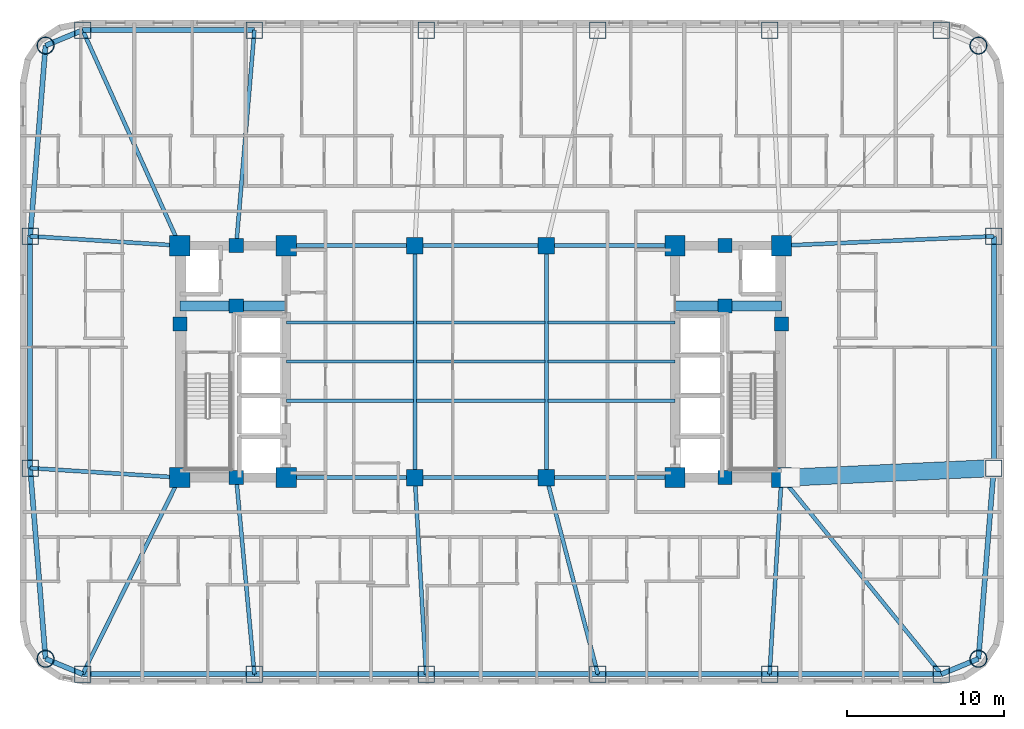
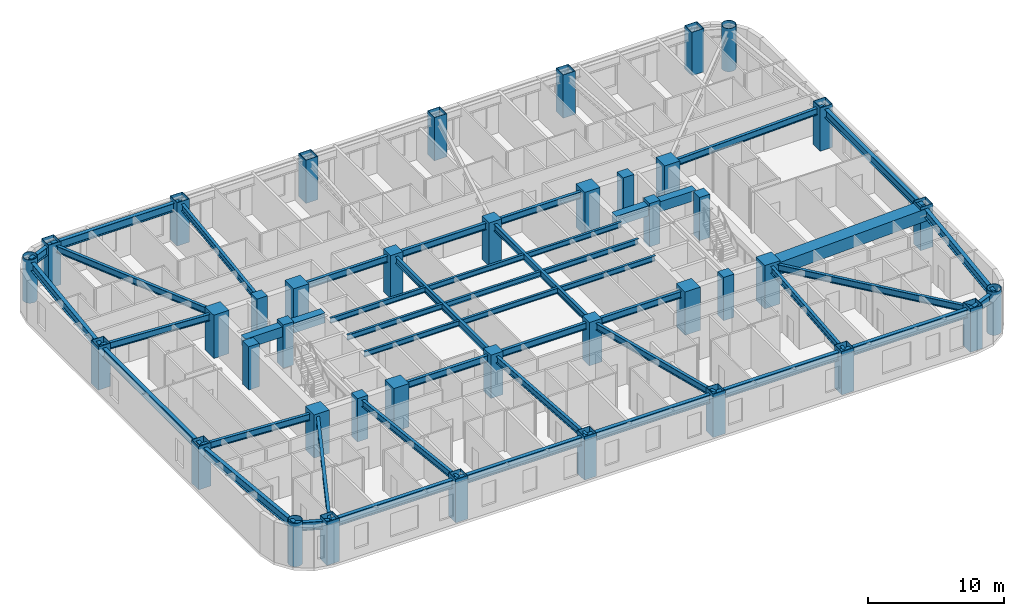
# One storey, part 1 of 13: 45 beams, 40 columns.
"""IFC4 building model written with IfcOpenShell, lengths in metres."""

from ifc_helpers import new_model, si_unit, direction, frame, origin, origin_2d, place, context, subcontext, project, spatial, rectangle, hollow_rectangle, hollow_circle, i_section, extrude, material, material_profile, profile_set, type_object, element, save


model = new_model("IFC4")

# Units and contexts
model_context = context("Model", 3, precision=1e-05, world=origin(), true_north=direction((0.0, 1.0)))
body_context = subcontext(model_context, "Body", "Model", "MODEL_VIEW")
ifc_project = project(units=[si_unit("LENGTHUNIT", "METRE"), si_unit("AREAUNIT", "SQUARE_METRE"), si_unit("VOLUMEUNIT", "CUBIC_METRE"), si_unit("PLANEANGLEUNIT", "RADIAN"), si_unit("MASSUNIT", "GRAM", prefix="KILO")], contexts=[model_context])

# Site, building, storey
site_placement = place(None, origin())
site = spatial("IfcSite", under=ifc_project, at=site_placement, CompositionType="ELEMENT")
building_placement = place(site_placement, origin())
building = spatial("IfcBuilding", under=site, at=building_placement, Name="Voryun Gate Residences", CompositionType="ELEMENT")
storey_placement = place(building_placement, frame((0.0, 0.0, 120.89990234375)))
storey = spatial("IfcBuildingStorey", under=building, at=storey_placement, Name="L29", CompositionType="ELEMENT", Elevation=120.89990234375)

# Columns
ifc_material_1 = material(Name="Concrete C50/60", Category="concrete")
ifc_material_profile_1 = material_profile(ifc_material_1, rectangle(XDim=1.050048828125, YDim=1.050048828125, at=origin_2d()), Name="RC-1050x1050")
ifc_profile_set_1 = profile_set([ifc_material_profile_1], Name="Concrete C50/60")
column_type_1 = type_object("IfcColumnType", Name="COL_CORE_1050", PredefinedType="COLUMN", material=ifc_profile_set_1)
for number, where, z_axis, x_axis, name in (
    (1, (-4.199951171875, -7.39990234375, 0.0), (0.0, 0.0, 1.0), (1.0, 0.0, 0.0), "L29 Interior spine column SP-WS"),
    (2, (-4.199951171875, 7.39990234375, 0.0), (0.0, 0.0, 1.0), (1.0, 0.0, 0.0), "L29 Interior spine column SP-WN"),
    (3, (4.199951171875, -7.39990234375, 0.0), (0.0, 0.0, 1.0), (1.0, 0.0, 0.0), "L29 Interior spine column SP-ES"),
    (4, (4.199951171875, 7.39990234375, 0.0), (0.0, 0.0, 1.0), (1.0, 0.0, 0.0), "L29 Interior spine column SP-EN"),
):
    element("IfcColumn", number, at=place(storey_placement, frame(where, z_axis=z_axis, x_axis=x_axis)), inside=storey, type_object=column_type_1, Name=name, PredefinedType="COLUMN", context=body_context, shape_type="SweptSolid", body=[
        extrude(rectangle(XDim=1.050048828125, YDim=1.050048828125, at=origin_2d()), origin(), (0.0, 0.0, 1.0), 3.900146484375),
    ])
ifc_material_2 = material(Name="Concrete C50/60", Category="concrete")
ifc_material_profile_2 = material_profile(ifc_material_2, rectangle(XDim=0.89990234375, YDim=0.89990234375, at=origin_2d()), Name="RC-900x900")
ifc_profile_set_2 = profile_set([ifc_material_profile_2], Name="Concrete C50/60")
column_type_2 = type_object("IfcColumnType", Name="COL_CORE_900", PredefinedType="COLUMN", material=ifc_profile_set_2)
for number, where, z_axis, x_axis, name in (
    (5, (-19.199951171875, 2.39990234375, 0.0), (0.0, 0.0, 1.0), (1.0, 0.0, 0.0), "L29 Core boundary column WC-MW"),
    (6, (-15.60009765625, -7.39990234375, 0.0), (0.0, 0.0, 1.0), (1.0, 0.0, 0.0), "L29 Core boundary column WC-SM"),
    (7, (-15.60009765625, 7.39990234375, 0.0), (0.0, 0.0, 1.0), (1.0, 0.0, 0.0), "L29 Core boundary column WC-NM"),
    (8, (-15.60009765625, 3.550048828125, 0.0), (0.0, 0.0, 1.0), (1.0, 0.0, 0.0), "L29 Core boundary column WC-MM"),
    (9, (15.60009765625, 3.550048828125, 0.0), (0.0, 0.0, 1.0), (1.0, 0.0, 0.0), "L29 Core boundary column EC-MM"),
    (10, (15.60009765625, -7.39990234375, 0.0), (0.0, 0.0, 1.0), (1.0, 0.0, 0.0), "L29 Core boundary column EC-SM"),
    (11, (15.60009765625, 7.39990234375, 0.0), (0.0, 0.0, 1.0), (1.0, 0.0, 0.0), "L29 Core boundary column EC-NM"),
    (12, (19.199951171875, 2.39990234375, 0.0), (0.0, 0.0, 1.0), (1.0, 0.0, 0.0), "L29 Core boundary column EC-ME"),
):
    element("IfcColumn", number, at=place(storey_placement, frame(where, z_axis=z_axis, x_axis=x_axis)), inside=storey, type_object=column_type_2, Name=name, PredefinedType="COLUMN", context=body_context, shape_type="SweptSolid", body=[
        extrude(rectangle(XDim=0.89990234375, YDim=0.89990234375, at=origin_2d()), origin(), (0.0, 0.0, 1.0), 3.900146484375),
    ])
ifc_material_3 = material(Name="Steel SM420", Category="steel")
ifc_material_profile_3 = material_profile(ifc_material_3, hollow_circle(Radius=0.550048828125, WallThickness=0.035888671875, at=origin_2d()), Name="CHS-1100x36")
ifc_profile_set_3 = profile_set([ifc_material_profile_3], Name="Steel SM420")
column_type_3 = type_object("IfcColumnType", Name="COL_CRN_1100", PredefinedType="COLUMN", material=ifc_profile_set_3)
for number, where, z_axis, x_axis, name in (
    (13, (31.768798828125, -18.96875, 0.0), (0.0, 0.0, 1.0), (1.0, 0.0, 0.0), "L29 Exoskeleton column CSE"),
    (14, (31.768798828125, 20.168701171875, 0.0), (0.0, 0.0, 1.0), (1.0, 0.0, 0.0), "L29 Exoskeleton column CNE"),
    (15, (-27.768798828125, 20.168701171875, 0.0), (0.0, 0.0, 1.0), (1.0, 0.0, 0.0), "L29 Exoskeleton column CNW"),
    (16, (-27.768798828125, -18.96875, 0.0), (0.0, 0.0, 1.0), (1.0, 0.0, 0.0), "L29 Exoskeleton column CSW"),
):
    element("IfcColumn", number, at=place(storey_placement, frame(where, z_axis=z_axis, x_axis=x_axis)), inside=storey, type_object=column_type_3, Name=name, PredefinedType="COLUMN", context=body_context, shape_type="SweptSolid", body=[
        extrude(hollow_circle(Radius=0.550048828125, WallThickness=0.035888671875, at=origin_2d()), origin(), (0.0, 0.0, 1.0), 3.900146484375),
    ])
ifc_material_4 = material(Name="Steel SM420", Category="steel")
ifc_material_profile_4 = material_profile(ifc_material_4, hollow_rectangle(XDim=1.050048828125, YDim=1.050048828125, WallThickness=0.035888671875, at=origin_2d()), Name="BOX-1050x1050x36")
ifc_profile_set_4 = profile_set([ifc_material_profile_4], Name="Steel SM420")
column_type_4 = type_object("IfcColumnType", Name="COL_EXO_B2", PredefinedType="COLUMN", material=ifc_profile_set_4)
for number, where, z_axis, x_axis, name in (
    (17, (-25.39990234375, -19.949951171875, 0.0), (0.0, 0.0, 1.0), (1.0, 0.0, 0.0), "L29 Exoskeleton column S1"),
    (18, (-14.43994140625, -19.949951171875, 0.0), (0.0, 0.0, 1.0), (1.0, 0.0, 0.0), "L29 Exoskeleton column S2"),
    (19, (-3.47998046875, -19.949951171875, 0.0), (0.0, 0.0, 1.0), (1.0, 0.0, 0.0), "L29 Exoskeleton column S3"),
    (20, (7.47998046875, -19.949951171875, 0.0), (0.0, 0.0, 1.0), (1.0, 0.0, 0.0), "L29 Exoskeleton column S4"),
    (21, (18.43994140625, -19.949951171875, 0.0), (0.0, 0.0, 1.0), (1.0, 0.0, 0.0), "L29 Exoskeleton column S5"),
    (22, (29.39990234375, -19.949951171875, 0.0), (0.0, 0.0, 1.0), (1.0, 0.0, 0.0), "L29 Exoskeleton column S6"),
    (23, (32.75, -6.798095703125, 0.0), (0.0, 0.0, 1.0), (1.0, 0.0, 0.0), "L29 Exoskeleton column E1"),
    (24, (32.75, 7.998046875, 0.0), (0.0, 0.0, 1.0), (1.0, 0.0, 0.0), "L29 Exoskeleton column E2"),
    (25, (29.39990234375, 21.14990234375, 0.0), (0.0, 0.0, 1.0), (1.0, 0.0, 0.0), "L29 Exoskeleton column N1"),
    (26, (18.43994140625, 21.14990234375, 0.0), (0.0, 0.0, 1.0), (1.0, 0.0, 0.0), "L29 Exoskeleton column N2"),
    (27, (7.47998046875, 21.14990234375, 0.0), (0.0, 0.0, 1.0), (1.0, 0.0, 0.0), "L29 Exoskeleton column N3"),
    (28, (-3.47998046875, 21.14990234375, 0.0), (0.0, 0.0, 1.0), (1.0, 0.0, 0.0), "L29 Exoskeleton column N4"),
    (29, (-14.43994140625, 21.14990234375, 0.0), (0.0, 0.0, 1.0), (1.0, 0.0, 0.0), "L29 Exoskeleton column N5"),
    (30, (-25.39990234375, 21.14990234375, 0.0), (0.0, 0.0, 1.0), (1.0, 0.0, 0.0), "L29 Exoskeleton column N6"),
    (31, (-28.75, 7.998046875, 0.0), (0.0, 0.0, 1.0), (1.0, 0.0, 0.0), "L29 Exoskeleton column W1"),
    (32, (-28.75, -6.798095703125, 0.0), (0.0, 0.0, 1.0), (1.0, 0.0, 0.0), "L29 Exoskeleton column W2"),
):
    element("IfcColumn", number, at=place(storey_placement, frame(where, z_axis=z_axis, x_axis=x_axis)), inside=storey, type_object=column_type_4, Name=name, PredefinedType="COLUMN", context=body_context, shape_type="SweptSolid", body=[
        extrude(hollow_rectangle(XDim=1.050048828125, YDim=1.050048828125, WallThickness=0.035888671875, at=origin_2d()), origin(), (0.0, 0.0, 1.0), 3.900146484375),
    ])
ifc_material_5 = material(Name="Concrete C60/75", Category="concrete")
ifc_material_profile_5 = material_profile(ifc_material_5, rectangle(XDim=1.300048828125, YDim=1.300048828125, at=origin_2d()), Name="RC-1300x1300")
ifc_profile_set_5 = profile_set([ifc_material_profile_5], Name="Concrete C60/75")
column_type_5 = type_object("IfcColumnType", Name="COL_MEGA_1300", PredefinedType="COLUMN", material=ifc_profile_set_5)
for number, where, z_axis, x_axis, name in (
    (33, (-19.199951171875, -7.39990234375, 0.0), (0.0, 0.0, 1.0), (1.0, 0.0, 0.0), "L29 Core boundary column WC-SW"),
    (34, (-19.199951171875, 7.39990234375, 0.0), (0.0, 0.0, 1.0), (1.0, 0.0, 0.0), "L29 Core boundary column WC-NW"),
    (35, (-12.39990234375, -7.39990234375, 0.0), (0.0, 0.0, 1.0), (1.0, 0.0, 0.0), "L29 Core boundary column WC-SE"),
    (36, (-12.39990234375, 7.39990234375, 0.0), (0.0, 0.0, 1.0), (1.0, 0.0, 0.0), "L29 Core boundary column WC-NE"),
    (37, (12.39990234375, -7.39990234375, 0.0), (0.0, 0.0, 1.0), (1.0, 0.0, 0.0), "L29 Core boundary column EC-SW"),
    (38, (12.39990234375, 7.39990234375, 0.0), (0.0, 0.0, 1.0), (1.0, 0.0, 0.0), "L29 Core boundary column EC-NW"),
    (39, (19.199951171875, -7.39990234375, 0.0), (0.0, 0.0, 1.0), (1.0, 0.0, 0.0), "L29 Core boundary column EC-SE"),
    (40, (19.199951171875, 7.39990234375, 0.0), (0.0, 0.0, 1.0), (1.0, 0.0, 0.0), "L29 Core boundary column EC-NE"),
):
    element("IfcColumn", number, at=place(storey_placement, frame(where, z_axis=z_axis, x_axis=x_axis)), inside=storey, type_object=column_type_5, Name=name, PredefinedType="COLUMN", context=body_context, shape_type="SweptSolid", body=[
        extrude(rectangle(XDim=1.300048828125, YDim=1.300048828125, at=origin_2d()), origin(), (0.0, 0.0, 1.0), 3.900146484375),
    ])

# Beams
ifc_material_6 = material(Name="Steel SM420", Category="steel")
ifc_material_profile_6 = material_profile(ifc_material_6, hollow_rectangle(XDim=1.10009765625, YDim=1.10009765625, WallThickness=0.035888671875, at=origin_2d()), Name="BOX-1100x1100x36")
ifc_profile_set_6 = profile_set([ifc_material_profile_6], Name="Steel SM420")
beam_type_1 = type_object("IfcBeamType", Name="BM_ARCH_RIB", PredefinedType="USERDEFINED", material=ifc_profile_set_6)
beam_1_placement = place(storey_placement, frame((19.75, -7.39990234375, 3.10009765625), z_axis=(0.998930206616, 0.046243294759, 0.0), x_axis=(-0.046243294759, 0.998930206616, 0.0)))
element("IfcBeam", 41, at=beam_1_placement, inside=storey, type_object=beam_type_1, Name="BM-L29-RAD-E1", ObjectType="GIRDER", PredefinedType="USERDEFINED", context=body_context, shape_type="SweptSolid", body=[
    extrude(hollow_rectangle(XDim=1.10009765625, YDim=1.10009765625, WallThickness=0.035888671875, at=origin_2d()), origin(), (0.0, 0.0, 1.0), 13.013916015625),
])
ifc_material_7 = material(Name="Concrete C60/75", Category="concrete")
ifc_material_profile_7 = material_profile(ifc_material_7, rectangle(XDim=0.64990234375, YDim=0.89990234375, at=origin_2d()), Name="RC-650x900")
ifc_profile_set_7 = profile_set([ifc_material_profile_7], Name="Concrete C60/75")
beam_type_2 = type_object("IfcBeamType", Name="BM_COUP_RC900", PredefinedType="LINTEL", material=ifc_profile_set_7)
for number, where, z_axis, x_axis, name in (
    (42, (-19.199951171875, 3.550048828125, 3.2001953125), (1.0, 0.0, 0.0), (0.0, 1.0, 0.0), "BM-L29-WC1"),
    (43, (12.39990234375, 3.550048828125, 3.2001953125), (1.0, 0.0, 0.0), (0.0, 1.0, 0.0), "BM-L29-EC1"),
):
    element("IfcBeam", number, at=place(storey_placement, frame(where, z_axis=z_axis, x_axis=x_axis)), inside=storey, type_object=beam_type_2, Name=name, PredefinedType="LINTEL", context=body_context, shape_type="SweptSolid", body=[
        extrude(rectangle(XDim=0.64990234375, YDim=0.89990234375, at=origin_2d()), origin(), (0.0, 0.0, 1.0), 6.800048828125),
    ])
ifc_material_8 = material(Name="Steel SM355", Category="steel")
ifc_material_profile_8 = material_profile(ifc_material_8, i_section(OverallWidth=0.320068359375, OverallDepth=0.75, WebThickness=0.01611328125, FlangeThickness=0.028076171875, FilletRadius=0.01806640625, at=origin_2d()), Name="H-750x320x16x28")
ifc_profile_set_8 = profile_set([ifc_material_profile_8], Name="Steel SM355")
beam_type_3 = type_object("IfcBeamType", Name="BM_EXO_SPANDREL_L", PredefinedType="SPANDREL", material=ifc_profile_set_8)
for number, where, z_axis, x_axis, name in (
    (44, (-25.39990234375, -19.949951171875, 3.275146484375), (1.0, 0.0, 0.0), (0.0, 1.0, 0.0), "BM-L29-SPAND-01"),
    (45, (-14.43994140625, -19.949951171875, 3.275146484375), (1.0, 0.0, 0.0), (0.0, 1.0, 0.0), "BM-L29-SPAND-02"),
    (46, (-3.47998046875, -19.949951171875, 3.275146484375), (1.0, 0.0, 0.0), (0.0, 1.0, 0.0), "BM-L29-SPAND-03"),
    (47, (7.47998046875, -19.949951171875, 3.275146484375), (1.0, 0.0, 0.0), (0.0, 1.0, 0.0), "BM-L29-SPAND-04"),
    (48, (18.43994140625, -19.949951171875, 3.275146484375), (1.0, 0.0, 0.0), (0.0, 1.0, 0.0), "BM-L29-SPAND-05"),
):
    element("IfcBeam", number, at=place(storey_placement, frame(where, z_axis=z_axis, x_axis=x_axis)), inside=storey, type_object=beam_type_3, Name=name, PredefinedType="SPANDREL", context=body_context, shape_type="SweptSolid", body=[
        extrude(i_section(OverallWidth=0.320068359375, OverallDepth=0.75, WebThickness=0.01611328125, FlangeThickness=0.028076171875, FilletRadius=0.01806640625, at=origin_2d()), origin(), (0.0, 0.0, 1.0), 10.9599609375),
    ])
beam_2_placement = place(storey_placement, frame((29.39990234375, -19.949951171875, 3.275146484375), z_axis=(0.923883376753, 0.382674151414, 0.0), x_axis=(-0.382674151414, 0.923883376753, 0.0)))
element("IfcBeam", 49, at=beam_2_placement, inside=storey, type_object=beam_type_3, Name="BM-L29-SPAND-06", PredefinedType="SPANDREL", context=body_context, shape_type="SweptSolid", body=[
    extrude(i_section(OverallWidth=0.320068359375, OverallDepth=0.75, WebThickness=0.01611328125, FlangeThickness=0.028076171875, FilletRadius=0.01806640625, at=origin_2d()), origin(), (0.0, 0.0, 1.0), 2.56396484375),
])
beam_3_placement = place(storey_placement, frame((31.768798828125, -18.96875, 3.275146484375), z_axis=(0.080359517973, 0.996765944378, 0.0), x_axis=(-0.996765944378, 0.080359517973, 0.0)))
element("IfcBeam", 50, at=beam_3_placement, inside=storey, type_object=beam_type_3, Name="BM-L29-SPAND-07", PredefinedType="SPANDREL", context=body_context, shape_type="SweptSolid", body=[
    extrude(i_section(OverallWidth=0.320068359375, OverallDepth=0.75, WebThickness=0.01611328125, FlangeThickness=0.028076171875, FilletRadius=0.01806640625, at=origin_2d()), origin(), (0.0, 0.0, 1.0), 12.210205078125),
])
beam_4_placement = place(storey_placement, frame((32.75, -6.798095703125, 3.275146484375), z_axis=(0.0, 1.0, 0.0), x_axis=(-1.0, 0.0, 0.0)))
element("IfcBeam", 51, at=beam_4_placement, inside=storey, type_object=beam_type_3, Name="BM-L29-SPAND-08", PredefinedType="SPANDREL", context=body_context, shape_type="SweptSolid", body=[
    extrude(i_section(OverallWidth=0.320068359375, OverallDepth=0.75, WebThickness=0.01611328125, FlangeThickness=0.028076171875, FilletRadius=0.01806640625, at=origin_2d()), origin(), (0.0, 0.0, 1.0), 14.796142578125),
])
beam_5_placement = place(storey_placement, frame((-14.43994140625, 21.14990234375, 3.275146484375), z_axis=(-1.0, 0.0, 0.0), x_axis=(0.0, -1.0, 0.0)))
element("IfcBeam", 52, at=beam_5_placement, inside=storey, type_object=beam_type_3, Name="BM-L29-SPAND-15", PredefinedType="SPANDREL", context=body_context, shape_type="SweptSolid", body=[
    extrude(i_section(OverallWidth=0.320068359375, OverallDepth=0.75, WebThickness=0.01611328125, FlangeThickness=0.028076171875, FilletRadius=0.01806640625, at=origin_2d()), origin(), (0.0, 0.0, 1.0), 10.9599609375),
])
beam_6_placement = place(storey_placement, frame((-25.39990234375, 21.14990234375, 3.275146484375), z_axis=(-0.923883376753, -0.382674151414, 0.0), x_axis=(0.382674151414, -0.923883376753, 0.0)))
element("IfcBeam", 53, at=beam_6_placement, inside=storey, type_object=beam_type_3, Name="BM-L29-SPAND-16", PredefinedType="SPANDREL", context=body_context, shape_type="SweptSolid", body=[
    extrude(i_section(OverallWidth=0.320068359375, OverallDepth=0.75, WebThickness=0.01611328125, FlangeThickness=0.028076171875, FilletRadius=0.01806640625, at=origin_2d()), origin(), (0.0, 0.0, 1.0), 2.56396484375),
])
beam_7_placement = place(storey_placement, frame((-27.768798828125, 20.168701171875, 3.275146484375), z_axis=(-0.080359517973, -0.996765944378, 0.0), x_axis=(0.996765944378, -0.080359517973, 0.0)))
element("IfcBeam", 54, at=beam_7_placement, inside=storey, type_object=beam_type_3, Name="BM-L29-SPAND-17", PredefinedType="SPANDREL", context=body_context, shape_type="SweptSolid", body=[
    extrude(i_section(OverallWidth=0.320068359375, OverallDepth=0.75, WebThickness=0.01611328125, FlangeThickness=0.028076171875, FilletRadius=0.01806640625, at=origin_2d()), origin(), (0.0, 0.0, 1.0), 12.210205078125),
])
beam_8_placement = place(storey_placement, frame((-28.75, 7.998046875, 3.275146484375), z_axis=(0.0, -1.0, 0.0), x_axis=(1.0, 0.0, 0.0)))
element("IfcBeam", 55, at=beam_8_placement, inside=storey, type_object=beam_type_3, Name="BM-L29-SPAND-18", PredefinedType="SPANDREL", context=body_context, shape_type="SweptSolid", body=[
    extrude(i_section(OverallWidth=0.320068359375, OverallDepth=0.75, WebThickness=0.01611328125, FlangeThickness=0.028076171875, FilletRadius=0.01806640625, at=origin_2d()), origin(), (0.0, 0.0, 1.0), 14.796142578125),
])
beam_9_placement = place(storey_placement, frame((-28.75, -6.798095703125, 3.275146484375), z_axis=(0.080359517973, -0.996765944378, 0.0), x_axis=(0.996765944378, 0.080359517973, 0.0)))
element("IfcBeam", 56, at=beam_9_placement, inside=storey, type_object=beam_type_3, Name="BM-L29-SPAND-19", PredefinedType="SPANDREL", context=body_context, shape_type="SweptSolid", body=[
    extrude(i_section(OverallWidth=0.320068359375, OverallDepth=0.75, WebThickness=0.01611328125, FlangeThickness=0.028076171875, FilletRadius=0.01806640625, at=origin_2d()), origin(), (0.0, 0.0, 1.0), 12.210205078125),
])
beam_10_placement = place(storey_placement, frame((-27.768798828125, -18.96875, 3.275146484375), z_axis=(0.923883376753, -0.382674151414, 0.0), x_axis=(0.382674151414, 0.923883376753, 0.0)))
element("IfcBeam", 57, at=beam_10_placement, inside=storey, type_object=beam_type_3, Name="BM-L29-SPAND-20", PredefinedType="SPANDREL", context=body_context, shape_type="SweptSolid", body=[
    extrude(i_section(OverallWidth=0.320068359375, OverallDepth=0.75, WebThickness=0.01611328125, FlangeThickness=0.028076171875, FilletRadius=0.01806640625, at=origin_2d()), origin(), (0.0, 0.0, 1.0), 2.56396484375),
])
ifc_material_9 = material(Name="Steel SM355", Category="steel")
ifc_material_profile_9 = material_profile(ifc_material_9, i_section(OverallWidth=0.25, OverallDepth=0.60009765625, WebThickness=0.011962890625, FlangeThickness=0.02197265625, FilletRadius=0.01806640625, at=origin_2d()), Name="H-600x250x12x22")
ifc_profile_set_9 = profile_set([ifc_material_profile_9], Name="Steel SM355")
beam_type_4 = type_object("IfcBeamType", Name="BM_GIRD_600", PredefinedType="USERDEFINED", material=ifc_profile_set_9)
beam_11_placement = place(storey_placement, frame((-12.39990234375, -7.39990234375, 3.35009765625), z_axis=(1.0, 0.0, 0.0), x_axis=(0.0, 1.0, 0.0)))
element("IfcBeam", 58, at=beam_11_placement, inside=storey, type_object=beam_type_4, Name="BM-L29-SPG1-S", ObjectType="GIRDER", PredefinedType="USERDEFINED", context=body_context, shape_type="SweptSolid", body=[
    extrude(i_section(OverallWidth=0.25, OverallDepth=0.60009765625, WebThickness=0.011962890625, FlangeThickness=0.02197265625, FilletRadius=0.01806640625, at=origin_2d()), origin(), (0.0, 0.0, 1.0), 8.199951171875),
])
beam_12_placement = place(storey_placement, frame((-4.199951171875, -7.39990234375, 3.35009765625), z_axis=(1.0, 0.0, 0.0), x_axis=(0.0, 1.0, 0.0)))
element("IfcBeam", 59, at=beam_12_placement, inside=storey, type_object=beam_type_4, Name="BM-L29-SPG2-S", ObjectType="GIRDER", PredefinedType="USERDEFINED", context=body_context, shape_type="SweptSolid", body=[
    extrude(i_section(OverallWidth=0.25, OverallDepth=0.60009765625, WebThickness=0.011962890625, FlangeThickness=0.02197265625, FilletRadius=0.01806640625, at=origin_2d()), origin(), (0.0, 0.0, 1.0), 8.39990234375),
])
for number, where, z_axis, x_axis, name in (
    (60, (4.199951171875, -7.39990234375, 3.35009765625), (1.0, 0.0, 0.0), (0.0, 1.0, 0.0), "BM-L29-SPG3-S"),
    (61, (-12.39990234375, 7.39990234375, 3.35009765625), (1.0, 0.0, 0.0), (0.0, 1.0, 0.0), "BM-L29-SPG1-N"),
):
    element("IfcBeam", number, at=place(storey_placement, frame(where, z_axis=z_axis, x_axis=x_axis)), inside=storey, type_object=beam_type_4, Name=name, ObjectType="GIRDER", PredefinedType="USERDEFINED", context=body_context, shape_type="SweptSolid", body=[
        extrude(i_section(OverallWidth=0.25, OverallDepth=0.60009765625, WebThickness=0.011962890625, FlangeThickness=0.02197265625, FilletRadius=0.01806640625, at=origin_2d()), origin(), (0.0, 0.0, 1.0), 8.199951171875),
    ])
beam_13_placement = place(storey_placement, frame((-4.199951171875, 7.39990234375, 3.35009765625), z_axis=(1.0, 0.0, 0.0), x_axis=(0.0, 1.0, 0.0)))
element("IfcBeam", 62, at=beam_13_placement, inside=storey, type_object=beam_type_4, Name="BM-L29-SPG2-N", ObjectType="GIRDER", PredefinedType="USERDEFINED", context=body_context, shape_type="SweptSolid", body=[
    extrude(i_section(OverallWidth=0.25, OverallDepth=0.60009765625, WebThickness=0.011962890625, FlangeThickness=0.02197265625, FilletRadius=0.01806640625, at=origin_2d()), origin(), (0.0, 0.0, 1.0), 8.39990234375),
])
beam_14_placement = place(storey_placement, frame((4.199951171875, 7.39990234375, 3.35009765625), z_axis=(1.0, 0.0, 0.0), x_axis=(0.0, 1.0, 0.0)))
element("IfcBeam", 63, at=beam_14_placement, inside=storey, type_object=beam_type_4, Name="BM-L29-SPG3-N", ObjectType="GIRDER", PredefinedType="USERDEFINED", context=body_context, shape_type="SweptSolid", body=[
    extrude(i_section(OverallWidth=0.25, OverallDepth=0.60009765625, WebThickness=0.011962890625, FlangeThickness=0.02197265625, FilletRadius=0.01806640625, at=origin_2d()), origin(), (0.0, 0.0, 1.0), 8.199951171875),
])
for number, where, z_axis, x_axis, name in (
    (64, (-4.199951171875, -7.39990234375, 3.35009765625), (0.0, 1.0, 0.0), (-1.0, 0.0, 0.0), "BM-L29-SPX-W"),
    (65, (4.199951171875, -7.39990234375, 3.35009765625), (0.0, 1.0, 0.0), (-1.0, 0.0, 0.0), "BM-L29-SPX-E"),
):
    element("IfcBeam", number, at=place(storey_placement, frame(where, z_axis=z_axis, x_axis=x_axis)), inside=storey, type_object=beam_type_4, Name=name, ObjectType="GIRDER", PredefinedType="USERDEFINED", context=body_context, shape_type="SweptSolid", body=[
        extrude(i_section(OverallWidth=0.25, OverallDepth=0.60009765625, WebThickness=0.011962890625, FlangeThickness=0.02197265625, FilletRadius=0.01806640625, at=origin_2d()), origin(), (0.0, 0.0, 1.0), 14.7998046875),
    ])
beam_15_placement = place(storey_placement, frame((-19.199951171875, -7.39990234375, 3.35009765625), z_axis=(-0.442917927955, -0.896562161312, 0.0), x_axis=(0.896562161312, -0.442917927955, 0.0)))
element("IfcBeam", 66, at=beam_15_placement, inside=storey, type_object=beam_type_4, Name="BM-L29-RAD-S1", ObjectType="GIRDER", PredefinedType="USERDEFINED", context=body_context, shape_type="SweptSolid", body=[
    extrude(i_section(OverallWidth=0.25, OverallDepth=0.60009765625, WebThickness=0.011962890625, FlangeThickness=0.02197265625, FilletRadius=0.01806640625, at=origin_2d()), origin(), (0.0, 0.0, 1.0), 13.998046875),
])
beam_16_placement = place(storey_placement, frame((-15.60009765625, -7.39990234375, 3.35009765625), z_axis=(0.092049895705, -0.995754395773, 0.0), x_axis=(0.995754395773, 0.092049895705, 0.0)))
element("IfcBeam", 67, at=beam_16_placement, inside=storey, type_object=beam_type_4, Name="BM-L29-RAD-S2", ObjectType="GIRDER", PredefinedType="USERDEFINED", context=body_context, shape_type="SweptSolid", body=[
    extrude(i_section(OverallWidth=0.25, OverallDepth=0.60009765625, WebThickness=0.011962890625, FlangeThickness=0.02197265625, FilletRadius=0.01806640625, at=origin_2d()), origin(), (0.0, 0.0, 1.0), 12.603515625),
])
beam_17_placement = place(storey_placement, frame((-4.199951171875, -7.39990234375, 3.35009765625), z_axis=(0.057273791334, -0.998358509167, 0.0), x_axis=(0.998358509167, 0.057273791334, 0.0)))
element("IfcBeam", 68, at=beam_17_placement, inside=storey, type_object=beam_type_4, Name="BM-L29-RAD-S3", ObjectType="GIRDER", PredefinedType="USERDEFINED", context=body_context, shape_type="SweptSolid", body=[
    extrude(i_section(OverallWidth=0.25, OverallDepth=0.60009765625, WebThickness=0.011962890625, FlangeThickness=0.02197265625, FilletRadius=0.01806640625, at=origin_2d()), origin(), (0.0, 0.0, 1.0), 12.57080078125),
])
beam_18_placement = place(storey_placement, frame((4.199951171875, -7.39990234375, 3.35009765625), z_axis=(0.252862419611, -0.967502246379, 0.0), x_axis=(0.967502246379, 0.252862419611, 0.0)))
element("IfcBeam", 69, at=beam_18_placement, inside=storey, type_object=beam_type_4, Name="BM-L29-RAD-S4", ObjectType="GIRDER", PredefinedType="USERDEFINED", context=body_context, shape_type="SweptSolid", body=[
    extrude(i_section(OverallWidth=0.25, OverallDepth=0.60009765625, WebThickness=0.011962890625, FlangeThickness=0.02197265625, FilletRadius=0.01806640625, at=origin_2d()), origin(), (0.0, 0.0, 1.0), 12.9716796875),
])
beam_19_placement = place(storey_placement, frame((19.199951171875, -7.39990234375, 3.35009765625), z_axis=(-0.060447572917, -0.998171373527, 0.0), x_axis=(0.998171373527, -0.060447572917, 0.0)))
element("IfcBeam", 70, at=beam_19_placement, inside=storey, type_object=beam_type_4, Name="BM-L29-RAD-S5", ObjectType="GIRDER", PredefinedType="USERDEFINED", context=body_context, shape_type="SweptSolid", body=[
    extrude(i_section(OverallWidth=0.25, OverallDepth=0.60009765625, WebThickness=0.011962890625, FlangeThickness=0.02197265625, FilletRadius=0.01806640625, at=origin_2d()), origin(), (0.0, 0.0, 1.0), 12.572998046875),
])
beam_20_placement = place(storey_placement, frame((19.199951171875, -7.39990234375, 3.35009765625), z_axis=(0.63070571586, -0.776022100189, 0.0), x_axis=(0.776022100189, 0.63070571586, 0.0)))
element("IfcBeam", 71, at=beam_20_placement, inside=storey, type_object=beam_type_4, Name="BM-L29-RAD-S6", ObjectType="GIRDER", PredefinedType="USERDEFINED", context=body_context, shape_type="SweptSolid", body=[
    extrude(i_section(OverallWidth=0.25, OverallDepth=0.60009765625, WebThickness=0.011962890625, FlangeThickness=0.02197265625, FilletRadius=0.01806640625, at=origin_2d()), origin(), (0.0, 0.0, 1.0), 16.17236328125),
])
beam_21_placement = place(storey_placement, frame((19.199951171875, 7.39990234375, 3.35009765625), z_axis=(0.999027104014, 0.044100401882, 0.0), x_axis=(-0.044100401882, 0.999027104014, 0.0)))
element("IfcBeam", 72, at=beam_21_placement, inside=storey, type_object=beam_type_4, Name="BM-L29-RAD-E2", ObjectType="GIRDER", PredefinedType="USERDEFINED", context=body_context, shape_type="SweptSolid", body=[
    extrude(i_section(OverallWidth=0.25, OverallDepth=0.60009765625, WebThickness=0.011962890625, FlangeThickness=0.02197265625, FilletRadius=0.01806640625, at=origin_2d()), origin(), (0.0, 0.0, 1.0), 13.563232421875),
])
beam_22_placement = place(storey_placement, frame((-15.60009765625, 7.39990234375, 3.35009765625), z_axis=(0.084076255415, 0.996459323442, 0.0), x_axis=(-0.996459323442, 0.084076255415, 0.0)))
element("IfcBeam", 73, at=beam_22_placement, inside=storey, type_object=beam_type_4, Name="BM-L29-RAD-N5", ObjectType="GIRDER", PredefinedType="USERDEFINED", context=body_context, shape_type="SweptSolid", body=[
    extrude(i_section(OverallWidth=0.25, OverallDepth=0.60009765625, WebThickness=0.011962890625, FlangeThickness=0.02197265625, FilletRadius=0.01806640625, at=origin_2d()), origin(), (0.0, 0.0, 1.0), 13.798828125),
])
beam_23_placement = place(storey_placement, frame((-19.199951171875, 7.39990234375, 3.35009765625), z_axis=(-0.411051048554, 0.911612327408, 0.0), x_axis=(-0.911612327408, -0.411051048554, 0.0)))
element("IfcBeam", 74, at=beam_23_placement, inside=storey, type_object=beam_type_4, Name="BM-L29-RAD-N6", ObjectType="GIRDER", PredefinedType="USERDEFINED", context=body_context, shape_type="SweptSolid", body=[
    extrude(i_section(OverallWidth=0.25, OverallDepth=0.60009765625, WebThickness=0.011962890625, FlangeThickness=0.02197265625, FilletRadius=0.01806640625, at=origin_2d()), origin(), (0.0, 0.0, 1.0), 15.083251953125),
])
beam_24_placement = place(storey_placement, frame((-19.199951171875, 7.39990234375, 3.35009765625), z_axis=(-0.998044329736, 0.062510126233, 0.0), x_axis=(-0.062510126233, -0.998044329736, 0.0)))
element("IfcBeam", 75, at=beam_24_placement, inside=storey, type_object=beam_type_4, Name="BM-L29-RAD-W1", ObjectType="GIRDER", PredefinedType="USERDEFINED", context=body_context, shape_type="SweptSolid", body=[
    extrude(i_section(OverallWidth=0.25, OverallDepth=0.60009765625, WebThickness=0.011962890625, FlangeThickness=0.02197265625, FilletRadius=0.01806640625, at=origin_2d()), origin(), (0.0, 0.0, 1.0), 9.56884765625),
])
beam_25_placement = place(storey_placement, frame((-19.199951171875, -7.39990234375, 3.35009765625), z_axis=(-0.998020380726, 0.062891332119, 0.0), x_axis=(-0.062891332119, -0.998020380726, 0.0)))
element("IfcBeam", 76, at=beam_25_placement, inside=storey, type_object=beam_type_4, Name="BM-L29-RAD-W2", ObjectType="GIRDER", PredefinedType="USERDEFINED", context=body_context, shape_type="SweptSolid", body=[
    extrude(i_section(OverallWidth=0.25, OverallDepth=0.60009765625, WebThickness=0.011962890625, FlangeThickness=0.02197265625, FilletRadius=0.01806640625, at=origin_2d()), origin(), (0.0, 0.0, 1.0), 9.569091796875),
])
ifc_material_10 = material(Name="Steel SM355", Category="steel")
ifc_material_profile_10 = material_profile(ifc_material_10, i_section(OverallWidth=0.199951171875, OverallDepth=0.47998046875, WebThickness=0.010009765625, FlangeThickness=0.01806640625, FilletRadius=0.01806640625, at=origin_2d()), Name="H-480x200x10x18")
ifc_profile_set_10 = profile_set([ifc_material_profile_10], Name="Steel SM355")
beam_type_5 = type_object("IfcBeamType", Name="BM_SEC_480", PredefinedType="BEAM", material=ifc_profile_set_10)
beam_26_placement = place(storey_placement, frame((-12.39990234375, -2.5, 3.41015625), z_axis=(1.0, 0.0, 0.0), x_axis=(0.0, 1.0, 0.0)))
element("IfcBeam", 77, at=beam_26_placement, inside=storey, type_object=beam_type_5, Name="BM-L29-SEC-CS1", PredefinedType="BEAM", context=body_context, shape_type="SweptSolid", body=[
    extrude(i_section(OverallWidth=0.199951171875, OverallDepth=0.47998046875, WebThickness=0.010009765625, FlangeThickness=0.01806640625, FilletRadius=0.01806640625, at=origin_2d()), origin(), (0.0, 0.0, 1.0), 8.099853515625),
])
beam_27_placement = place(storey_placement, frame((-4.10009765625, -2.5, 3.41015625), z_axis=(1.0, 0.0, 0.0), x_axis=(0.0, 1.0, 0.0)))
element("IfcBeam", 78, at=beam_27_placement, inside=storey, type_object=beam_type_5, Name="BM-L29-SEC-CS2", PredefinedType="BEAM", context=body_context, shape_type="SweptSolid", body=[
    extrude(i_section(OverallWidth=0.199951171875, OverallDepth=0.47998046875, WebThickness=0.010009765625, FlangeThickness=0.01806640625, FilletRadius=0.01806640625, at=origin_2d()), origin(), (0.0, 0.0, 1.0), 8.2001953125),
])
for number, where, z_axis, x_axis, name in (
    (79, (4.300048828125, -2.5, 3.41015625), (1.0, 0.0, 0.0), (0.0, 1.0, 0.0), "BM-L29-SEC-CS3"),
    (80, (-12.39990234375, 0.0, 3.41015625), (1.0, 0.0, 0.0), (0.0, 1.0, 0.0), "BM-L29-SEC-CM1"),
):
    element("IfcBeam", number, at=place(storey_placement, frame(where, z_axis=z_axis, x_axis=x_axis)), inside=storey, type_object=beam_type_5, Name=name, PredefinedType="BEAM", context=body_context, shape_type="SweptSolid", body=[
        extrude(i_section(OverallWidth=0.199951171875, OverallDepth=0.47998046875, WebThickness=0.010009765625, FlangeThickness=0.01806640625, FilletRadius=0.01806640625, at=origin_2d()), origin(), (0.0, 0.0, 1.0), 8.099853515625),
    ])
beam_28_placement = place(storey_placement, frame((-4.10009765625, 0.0, 3.41015625), z_axis=(1.0, 0.0, 0.0), x_axis=(0.0, 1.0, 0.0)))
element("IfcBeam", 81, at=beam_28_placement, inside=storey, type_object=beam_type_5, Name="BM-L29-SEC-CM2", PredefinedType="BEAM", context=body_context, shape_type="SweptSolid", body=[
    extrude(i_section(OverallWidth=0.199951171875, OverallDepth=0.47998046875, WebThickness=0.010009765625, FlangeThickness=0.01806640625, FilletRadius=0.01806640625, at=origin_2d()), origin(), (0.0, 0.0, 1.0), 8.2001953125),
])
for number, where, z_axis, x_axis, name in (
    (82, (4.300048828125, 0.0, 3.41015625), (1.0, 0.0, 0.0), (0.0, 1.0, 0.0), "BM-L29-SEC-CM3"),
    (83, (-12.39990234375, 2.5, 3.41015625), (1.0, 0.0, 0.0), (0.0, 1.0, 0.0), "BM-L29-SEC-CN1"),
):
    element("IfcBeam", number, at=place(storey_placement, frame(where, z_axis=z_axis, x_axis=x_axis)), inside=storey, type_object=beam_type_5, Name=name, PredefinedType="BEAM", context=body_context, shape_type="SweptSolid", body=[
        extrude(i_section(OverallWidth=0.199951171875, OverallDepth=0.47998046875, WebThickness=0.010009765625, FlangeThickness=0.01806640625, FilletRadius=0.01806640625, at=origin_2d()), origin(), (0.0, 0.0, 1.0), 8.099853515625),
    ])
beam_29_placement = place(storey_placement, frame((-4.10009765625, 2.5, 3.41015625), z_axis=(1.0, 0.0, 0.0), x_axis=(0.0, 1.0, 0.0)))
element("IfcBeam", 84, at=beam_29_placement, inside=storey, type_object=beam_type_5, Name="BM-L29-SEC-CN2", PredefinedType="BEAM", context=body_context, shape_type="SweptSolid", body=[
    extrude(i_section(OverallWidth=0.199951171875, OverallDepth=0.47998046875, WebThickness=0.010009765625, FlangeThickness=0.01806640625, FilletRadius=0.01806640625, at=origin_2d()), origin(), (0.0, 0.0, 1.0), 8.2001953125),
])
beam_30_placement = place(storey_placement, frame((4.300048828125, 2.5, 3.41015625), z_axis=(1.0, 0.0, 0.0), x_axis=(0.0, 1.0, 0.0)))
element("IfcBeam", 85, at=beam_30_placement, inside=storey, type_object=beam_type_5, Name="BM-L29-SEC-CN3", PredefinedType="BEAM", context=body_context, shape_type="SweptSolid", body=[
    extrude(i_section(OverallWidth=0.199951171875, OverallDepth=0.47998046875, WebThickness=0.010009765625, FlangeThickness=0.01806640625, FilletRadius=0.01806640625, at=origin_2d()), origin(), (0.0, 0.0, 1.0), 8.099853515625),
])

save(model, "model.ifc")
